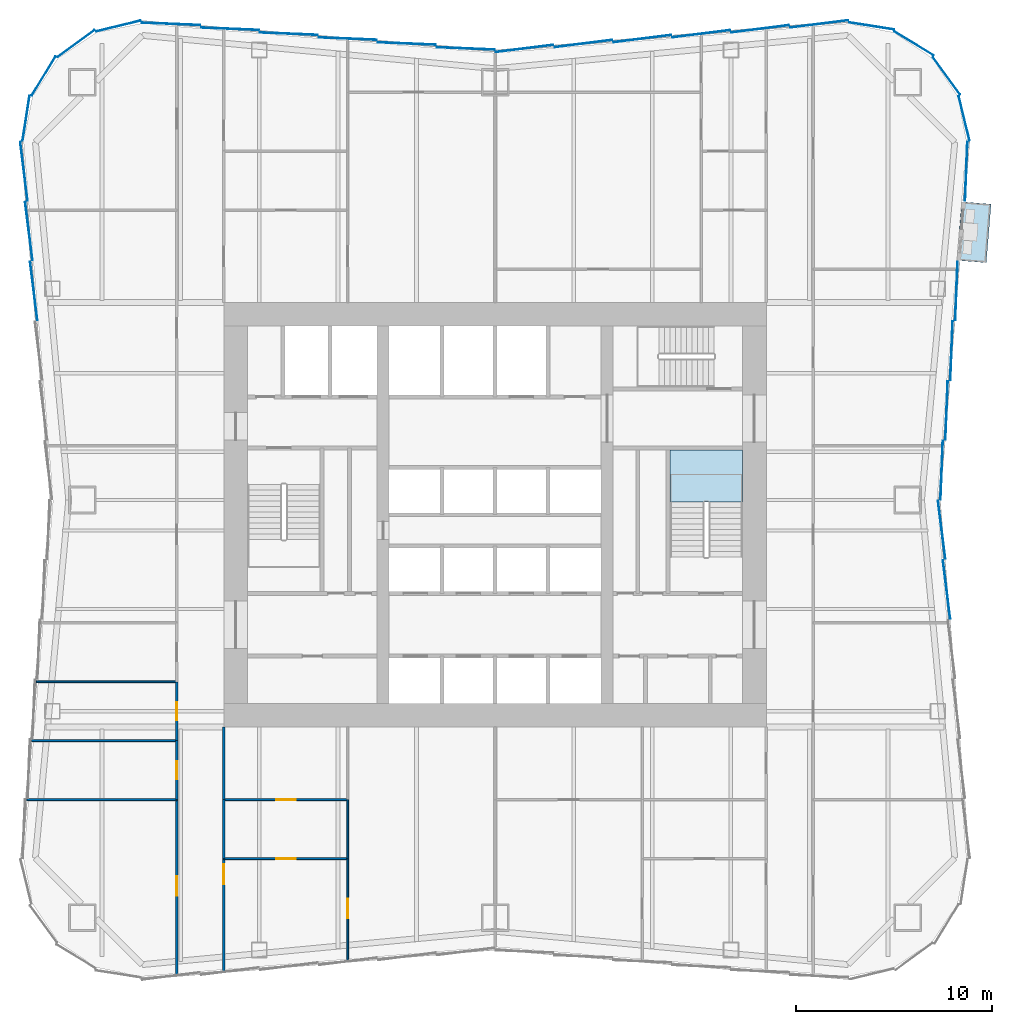
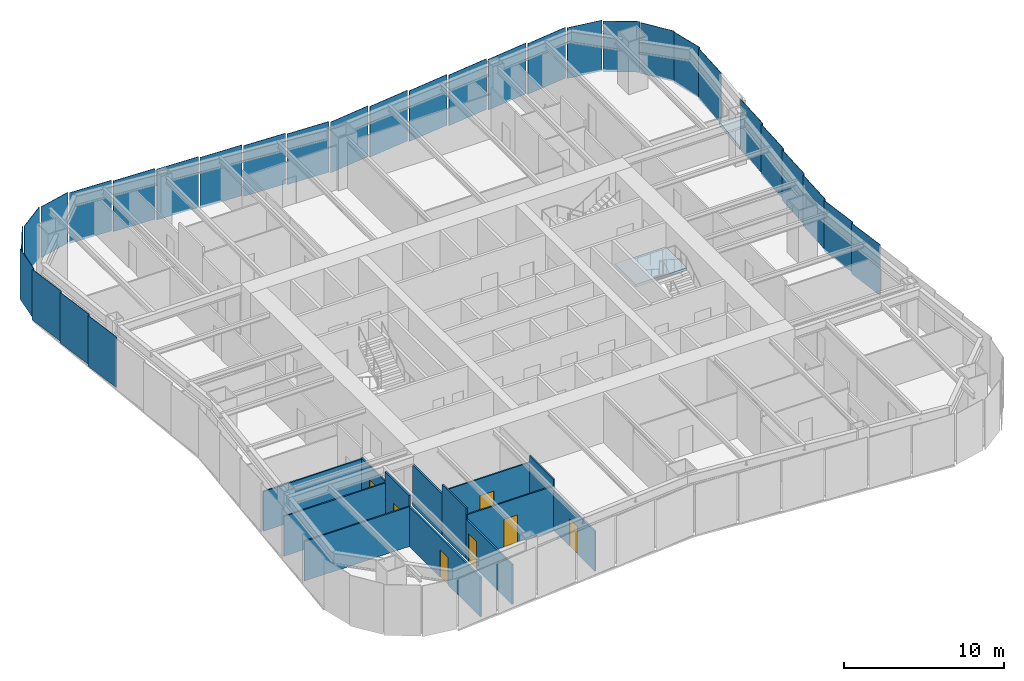
# One storey, part 3 of 9: 30 plates, 13 walls, 7 doors, 2 slabs, 7 openings, 6 elements without a shape of their own.
"""IFC4 building model written with IfcOpenShell, lengths in metres."""

from ifc_helpers import new_model, si_unit, direction, frame, frame_2d, origin, origin_2d, place, context, subcontext, project, spatial, polyline, rectangle, outline, extrude, material, layer, layer_set, type_object, element, fill, aggregate, save


model = new_model("IFC4")

# Units and contexts
model_context = context("Model", 3, precision=1e-05, world=origin(), true_north=direction((0.0, 1.0)))
body_context = subcontext(model_context, "Body", "Model", "MODEL_VIEW")
ifc_project = project(units=[si_unit("LENGTHUNIT", "METRE"), si_unit("AREAUNIT", "SQUARE_METRE"), si_unit("VOLUMEUNIT", "CUBIC_METRE"), si_unit("PLANEANGLEUNIT", "RADIAN"), si_unit("MASSUNIT", "GRAM", prefix="KILO")], contexts=[model_context])

# Site, building, storey
site_placement = place(None, origin())
site = spatial("IfcSite", under=ifc_project, at=site_placement, CompositionType="ELEMENT")
building_placement = place(site_placement, origin())
building = spatial("IfcBuilding", under=site, at=building_placement, Name="Verdant Reach Tower", CompositionType="ELEMENT")
storey_placement = place(building_placement, frame((0.0, 0.0, 98.0)))
storey = spatial("IfcBuildingStorey", under=building, at=storey_placement, Name="L22", CompositionType="ELEMENT", Elevation=98.0)

# Stair, slab
ifc_material_1 = material(Name="Concrete C40/50", Category="concrete")
stair_type = type_object("IfcStairType", Name="CO-STAIR", PredefinedType="HALF_TURN_STAIR", material=ifc_material_1)
stair_placement = place(storey_placement, origin())
stair = element("IfcStair", 1, at=stair_placement, inside=storey, type_object=stair_type, Name="L22 Exit stair 2", PredefinedType="HALF_TURN_STAIR")
ifc_layer_1 = layer(ifc_material_1, 0.199951171875)
ifc_layer_set_1 = layer_set([ifc_layer_1], Name="CO-STAIR-LANDING")
slab_type_1 = type_object("IfcSlabType", Name="CO-STAIR-LANDING", PredefinedType="LANDING", material=ifc_layer_set_1)
slab_1_placement = place(storey_placement, frame((0.0, 0.0, 1.800048828125)))
slab_1 = element("IfcSlab", 2, at=slab_1_placement, type_object=slab_type_1, Name="ST-2 landing 1", PredefinedType="LANDING", context=body_context, shape_type="SweptSolid", body=[
    extrude(outline(polyline([(12.60009765625, 28.64990234375), (12.60009765625, 31.300048828125), (8.89990234375, 31.300048828125), (8.89990234375, 28.64990234375), (12.60009765625, 28.64990234375)])), origin(), (0.0, 0.0, 1.0), 0.199951171875),
])
aggregate(stair, [slab_1])

# Slab
ifc_material_2 = material(Name="Concrete C35/45", Category="concrete")
ifc_layer_2 = layer(ifc_material_2, 0.25)
ifc_layer_set_2 = layer_set([ifc_layer_2], Name="EN-BALCONY SLAB")
slab_type_2 = type_object("IfcSlabType", Name="EN-BALCONY SLAB", PredefinedType="FLOOR", material=ifc_layer_set_2)
slab_2_placement = place(storey_placement, frame((0.0, 0.0, -0.25)))
element("IfcSlab", 3, at=slab_2_placement, inside=storey, type_object=slab_type_2, Name="Balcony slab 1, L22", PredefinedType="FLOOR", context=body_context, shape_type="SweptSolid", body=[
    extrude(outline(polyline([(23.50244140625, 40.947509765625), (23.74755859375, 43.927490234375), (25.242431640625, 43.804443359375), (24.99755859375, 40.82470703125), (23.50244140625, 40.947509765625)])), origin(), (0.0, 0.0, 1.0), 0.25),
])

# Curtain wall, plates
ifc_material_3 = material(Name="Anodised aluminium", Category="aluminium")
curtain_wall_type = type_object("IfcCurtainWallType", Name="EN-CW SYSTEM Z1", PredefinedType="NOTDEFINED", material=ifc_material_3)
curtain_wall_1_placement = place(storey_placement, origin())
curtain_wall_1 = element("IfcCurtainWall", 4, at=curtain_wall_1_placement, inside=storey, type_object=curtain_wall_type, Name="Curtain wall east, L22", PredefinedType="NOTDEFINED")
ifc_material_4 = material(Name="Tinted glass with champagne spandrel", Category="glass")
ifc_layer_3 = layer(ifc_material_4, 0.031982421875)
ifc_layer_set_3 = layer_set([ifc_layer_3], Name="EN-PANEL CHAMPAGNE")
plate_type_1 = type_object("IfcPlateType", Name="EN-PANEL CHAMPAGNE", PredefinedType="CURTAIN_PANEL", material=ifc_layer_set_3)
plate_1_placement = place(storey_placement, frame((22.9775390625, 24.196044921875, -0.22802734375), z_axis=(0.0, 0.0, 1.0), x_axis=(-0.123578623975, 0.992334784081, 0.0)))
plate_1 = element("IfcPlate", 5, at=plate_1_placement, type_object=plate_type_1, Name="Glass panel east face part 1 5.1, L22", PredefinedType="CURTAIN_PANEL", context=body_context, shape_type="SweptSolid", body=[
    extrude(rectangle(XDim=2.993896484375, YDim=0.031982421875, at=origin_2d()), origin(), (0.0, 0.0, 1.0), 3.8779296875),
])
plate_2_placement = place(storey_placement, frame((22.727783203125, 27.2333984375, -0.22802734375), z_axis=(0.0, 0.0, 1.0), x_axis=(-0.123691487663, 0.992320722287, 0.0)))
plate_2 = element("IfcPlate", 6, at=plate_2_placement, type_object=plate_type_1, Name="Glass panel east face part 1 6.1, L22", PredefinedType="CURTAIN_PANEL", context=body_context, shape_type="SweptSolid", body=[
    extrude(rectangle(XDim=2.985595703125, YDim=0.031982421875, at=origin_2d()), origin(), (0.0, 0.0, 1.0), 3.8779296875),
])
plate_3_placement = place(storey_placement, frame((23.977783203125, 45.477783203125, -0.22802734375), z_axis=(0.0, 0.0, 1.0), x_axis=(0.039784239139, 0.999208293759, 0.0)))
plate_3 = element("IfcPlate", 7, at=plate_3_placement, type_object=plate_type_1, Name="Glass panel east face part 2 6.1, L22", PredefinedType="CURTAIN_PANEL", context=body_context, shape_type="SweptSolid", body=[
    extrude(rectangle(XDim=3.00830078125, YDim=0.031982421875, at=origin_2d()), origin(), (0.0, 0.0, 1.0), 3.8779296875),
])

# Curtain wall, plate
curtain_wall_2_placement = place(storey_placement, origin())
curtain_wall_2 = element("IfcCurtainWall", 8, at=curtain_wall_2_placement, inside=storey, type_object=curtain_wall_type, Name="Curtain wall north-east corner, L22", PredefinedType="NOTDEFINED")
plate_4_placement = place(storey_placement, frame((19.170654296875, 52.87060546875, -0.22802734375), z_axis=(0.0, 0.0, 1.0), x_axis=(-0.988032704995, 0.154244526195, 0.0)))
plate_4 = element("IfcPlate", 9, at=plate_4_placement, type_object=plate_type_1, Name="Glass panel north-east corner 4.1, L22", PredefinedType="CURTAIN_PANEL", context=body_context, shape_type="SweptSolid", body=[
    extrude(rectangle(XDim=2.317626953125, YDim=0.031982421875, at=origin_2d()), origin(), (0.0, 0.0, 1.0), 3.8779296875),
])

# Curtain wall, plates
curtain_wall_3_placement = place(storey_placement, origin())
curtain_wall_3 = element("IfcCurtainWall", 10, at=curtain_wall_3_placement, inside=storey, type_object=curtain_wall_type, Name="Curtain wall north, L22", PredefinedType="NOTDEFINED")
plate_5_placement = place(storey_placement, frame((13.491455078125, 52.7275390625, -0.22802734375), z_axis=(0.0, 0.0, 1.0), x_axis=(-0.992194034542, -0.124703639961, 0.0)))
plate_5 = element("IfcPlate", 11, at=plate_5_placement, type_object=plate_type_1, Name="Glass panel north face part 1 2.1, L22", PredefinedType="CURTAIN_PANEL", context=body_context, shape_type="SweptSolid", body=[
    extrude(rectangle(XDim=2.952392578125, YDim=0.031982421875, at=origin_2d()), origin(), (0.0, 0.0, 1.0), 3.8779296875),
])
plate_6_placement = place(storey_placement, frame((10.491455078125, 52.4775390625, -0.22802734375), z_axis=(0.0, 0.0, 1.0), x_axis=(-0.992194034542, -0.124703639961, 0.0)))
plate_6 = element("IfcPlate", 12, at=plate_6_placement, type_object=plate_type_1, Name="Glass panel north face part 1 3.1, L22", PredefinedType="CURTAIN_PANEL", context=body_context, shape_type="SweptSolid", body=[
    extrude(rectangle(XDim=2.952392578125, YDim=0.031982421875, at=origin_2d()), origin(), (0.0, 0.0, 1.0), 3.8779296875),
])
plate_7_placement = place(storey_placement, frame((7.491455078125, 52.2275390625, -0.22802734375), z_axis=(0.0, 0.0, 1.0), x_axis=(-0.992194034542, -0.124703639961, 0.0)))
plate_7 = element("IfcPlate", 13, at=plate_7_placement, type_object=plate_type_1, Name="Glass panel north face part 1 4.1, L22", PredefinedType="CURTAIN_PANEL", context=body_context, shape_type="SweptSolid", body=[
    extrude(rectangle(XDim=2.952392578125, YDim=0.031982421875, at=origin_2d()), origin(), (0.0, 0.0, 1.0), 3.8779296875),
])
plate_8_placement = place(storey_placement, frame((-10.491455078125, 52.4775390625, -0.22802734375), z_axis=(0.0, 0.0, 1.0), x_axis=(-0.999149202059, 0.041241629766, 0.0)))
plate_8 = element("IfcPlate", 14, at=plate_8_placement, type_object=plate_type_1, Name="Glass panel north face part 2 4.1, L22", PredefinedType="CURTAIN_PANEL", context=body_context, shape_type="SweptSolid", body=[
    extrude(rectangle(XDim=2.952392578125, YDim=0.031982421875, at=origin_2d()), origin(), (0.0, 0.0, 1.0), 3.8779296875),
])
plate_9_placement = place(storey_placement, frame((-13.491455078125, 52.7275390625, -0.22802734375), z_axis=(0.0, 0.0, 1.0), x_axis=(-0.999149202059, 0.041241629766, 0.0)))
plate_9 = element("IfcPlate", 15, at=plate_9_placement, type_object=plate_type_1, Name="Glass panel north face part 2 5.1, L22", PredefinedType="CURTAIN_PANEL", context=body_context, shape_type="SweptSolid", body=[
    extrude(rectangle(XDim=2.952392578125, YDim=0.031982421875, at=origin_2d()), origin(), (0.0, 0.0, 1.0), 3.8779296875),
])

curtain_wall_4_placement = place(storey_placement, origin())
curtain_wall_4 = element("IfcCurtainWall", 16, at=curtain_wall_4_placement, inside=storey, type_object=curtain_wall_type, Name="Curtain wall north-west corner, L22", PredefinedType="NOTDEFINED")
plate_10_placement = place(storey_placement, frame((-21.325439453125, 51.97705078125, -0.22802734375), z_axis=(0.0, 0.0, 1.0), x_axis=(-0.807456753161, -0.589926768145, 0.0)))
plate_10 = element("IfcPlate", 17, at=plate_10_placement, type_object=plate_type_1, Name="Glass panel north-west corner 2.1, L22", PredefinedType="CURTAIN_PANEL", context=body_context, shape_type="SweptSolid", body=[
    extrude(rectangle(XDim=2.3232421875, YDim=0.031982421875, at=origin_2d()), origin(), (0.0, 0.0, 1.0), 3.8779296875),
])
plate_11_placement = place(storey_placement, frame((-22.97705078125, 50.325439453125, -0.22802734375), z_axis=(0.0, 0.0, 1.0), x_axis=(-0.520291572248, -0.85398868836, 0.0)))
plate_11 = element("IfcPlate", 18, at=plate_11_placement, type_object=plate_type_1, Name="Glass panel north-west corner 3.1, L22", PredefinedType="CURTAIN_PANEL", context=body_context, shape_type="SweptSolid", body=[
    extrude(rectangle(XDim=2.3232421875, YDim=0.031982421875, at=origin_2d()), origin(), (0.0, 0.0, 1.0), 3.8779296875),
])
plate_12_placement = place(storey_placement, frame((-23.87060546875, 48.170654296875, -0.22802734375), z_axis=(0.0, 0.0, 1.0), x_axis=(-0.154247912016, -0.988032176419, 0.0)))
plate_12 = element("IfcPlate", 19, at=plate_12_placement, type_object=plate_type_1, Name="Glass panel north-west corner 4.1, L22", PredefinedType="CURTAIN_PANEL", context=body_context, shape_type="SweptSolid", body=[
    extrude(rectangle(XDim=2.3173828125, YDim=0.031982421875, at=origin_2d()), origin(), (0.0, 0.0, 1.0), 3.8779296875),
])

curtain_wall_5_placement = place(storey_placement, origin())
curtain_wall_5 = element("IfcCurtainWall", 20, at=curtain_wall_5_placement, inside=storey, type_object=curtain_wall_type, Name="Curtain wall west, L22", PredefinedType="NOTDEFINED")
plate_13_placement = place(storey_placement, frame((-23.977783203125, 45.477783203125, -0.22802734375), z_axis=(0.0, 0.0, 1.0), x_axis=(0.123256305275, -0.992374870304, 0.0)))
plate_13 = element("IfcPlate", 21, at=plate_13_placement, type_object=plate_type_1, Name="Glass panel west face part 1 1.1, L22", PredefinedType="CURTAIN_PANEL", context=body_context, shape_type="SweptSolid", body=[
    extrude(rectangle(XDim=3.00830078125, YDim=0.031982421875, at=origin_2d()), origin(), (0.0, 0.0, 1.0), 3.8779296875),
])
plate_14_placement = place(storey_placement, frame((-23.7275390625, 42.428955078125, -0.22802734375), z_axis=(0.0, 0.0, 1.0), x_axis=(0.123578623975, -0.992334784081, 0.0)))
plate_14 = element("IfcPlate", 22, at=plate_14_placement, type_object=plate_type_1, Name="Glass panel west face part 1 2.1, L22", PredefinedType="CURTAIN_PANEL", context=body_context, shape_type="SweptSolid", body=[
    extrude(rectangle(XDim=2.993896484375, YDim=0.031982421875, at=origin_2d()), origin(), (0.0, 0.0, 1.0), 3.8779296875),
])

# Plate
ifc_material_5 = material(Name="Tinted glass with copper spandrel", Category="glass")
ifc_layer_4 = layer(ifc_material_5, 0.031982421875)
ifc_layer_set_4 = layer_set([ifc_layer_4], Name="EN-PANEL COPPER")
plate_type_2 = type_object("IfcPlateType", Name="EN-PANEL COPPER", PredefinedType="CURTAIN_PANEL", material=ifc_layer_set_4)
plate_15_placement = place(storey_placement, frame((22.727783203125, 30.2666015625, -0.22802734375), z_axis=(0.0, 0.0, 1.0), x_axis=(0.040222426271, 0.99919075077, 0.0)))
plate_15 = element("IfcPlate", 23, at=plate_15_placement, type_object=plate_type_2, Name="Glass panel east face part 2 1.1, L22", PredefinedType="CURTAIN_PANEL", context=body_context, shape_type="SweptSolid", body=[
    extrude(rectangle(XDim=2.985595703125, YDim=0.031982421875, at=origin_2d()), origin(), (0.0, 0.0, 1.0), 3.8779296875),
])

plate_16_placement = place(storey_placement, frame((22.9775390625, 33.303955078125, -0.22802734375), z_axis=(0.0, 0.0, 1.0), x_axis=(0.040108781752, 0.999195319057, 0.0)))
plate_16 = element("IfcPlate", 24, at=plate_16_placement, type_object=plate_type_2, Name="Glass panel east face part 2 2.1, L22", PredefinedType="CURTAIN_PANEL", context=body_context, shape_type="SweptSolid", body=[
    extrude(rectangle(XDim=2.993896484375, YDim=0.031982421875, at=origin_2d()), origin(), (0.0, 0.0, 1.0), 3.8779296875),
])

plate_17_placement = place(storey_placement, frame((23.87060546875, 48.170654296875, -0.22802734375), z_axis=(0.0, 0.0, 1.0), x_axis=(-0.236383344544, 0.971659875894, 0.0)))
plate_17 = element("IfcPlate", 25, at=plate_17_placement, type_object=plate_type_2, Name="Glass panel north-east corner 1.1, L22", PredefinedType="CURTAIN_PANEL", context=body_context, shape_type="SweptSolid", body=[
    extrude(rectangle(XDim=2.3173828125, YDim=0.031982421875, at=origin_2d()), origin(), (0.0, 0.0, 1.0), 3.8779296875),
])

plate_18_placement = place(storey_placement, frame((4.491455078125, 51.9775390625, -0.22802734375), z_axis=(0.0, 0.0, 1.0), x_axis=(-0.992194034542, -0.124703639961, 0.0)))
plate_18 = element("IfcPlate", 26, at=plate_18_placement, type_object=plate_type_2, Name="Glass panel north face part 1 5.1, L22", PredefinedType="CURTAIN_PANEL", context=body_context, shape_type="SweptSolid", body=[
    extrude(rectangle(XDim=2.952392578125, YDim=0.031982421875, at=origin_2d()), origin(), (0.0, 0.0, 1.0), 3.8779296875),
])

plate_19_placement = place(storey_placement, frame((1.49560546875, 51.727783203125, -0.22802734375), z_axis=(0.0, 0.0, 1.0), x_axis=(-0.992179247355, -0.124821236644, 0.0)))
plate_19 = element("IfcPlate", 27, at=plate_19_placement, type_object=plate_type_2, Name="Glass panel north face part 1 6.1, L22", PredefinedType="CURTAIN_PANEL", context=body_context, shape_type="SweptSolid", body=[
    extrude(rectangle(XDim=2.94384765625, YDim=0.031982421875, at=origin_2d()), origin(), (0.0, 0.0, 1.0), 3.8779296875),
])

plate_20_placement = place(storey_placement, frame((-16.49853515625, 52.977783203125, -0.22802734375), z_axis=(0.0, 0.0, 1.0), x_axis=(-0.999162836679, 0.040909971885, 0.0)))
plate_20 = element("IfcPlate", 28, at=plate_20_placement, type_object=plate_type_2, Name="Glass panel north face part 2 6.1, L22", PredefinedType="CURTAIN_PANEL", context=body_context, shape_type="SweptSolid", body=[
    extrude(rectangle(XDim=2.966796875, YDim=0.031982421875, at=origin_2d()), origin(), (0.0, 0.0, 1.0), 3.8779296875),
])

plate_21_placement = place(storey_placement, frame((-23.4775390625, 39.387451171875, -0.22802734375), z_axis=(0.0, 0.0, 1.0), x_axis=(0.123578623975, -0.992334784081, 0.0)))
plate_21 = element("IfcPlate", 29, at=plate_21_placement, type_object=plate_type_2, Name="Glass panel west face part 1 3.1, L22", PredefinedType="CURTAIN_PANEL", context=body_context, shape_type="SweptSolid", body=[
    extrude(rectangle(XDim=2.993896484375, YDim=0.031982421875, at=origin_2d()), origin(), (0.0, 0.0, 1.0), 3.8779296875),
])

aggregate(curtain_wall_5, [plate_13, plate_14, plate_21])

ifc_material_6 = material(Name="Tinted glass with dark bronze spandrel", Category="glass")
ifc_layer_5 = layer(ifc_material_6, 0.031982421875)
ifc_layer_set_5 = layer_set([ifc_layer_5], Name="EN-PANEL DARK")
plate_type_3 = type_object("IfcPlateType", Name="EN-PANEL DARK", PredefinedType="CURTAIN_PANEL", material=ifc_layer_set_5)
plate_22_placement = place(storey_placement, frame((23.2275390625, 36.345703125, -0.22802734375), z_axis=(0.0, 0.0, 1.0), x_axis=(0.040108781752, 0.999195319057, 0.0)))
plate_22 = element("IfcPlate", 30, at=plate_22_placement, type_object=plate_type_3, Name="Glass panel east face part 2 3.1, L22", PredefinedType="CURTAIN_PANEL", context=body_context, shape_type="SweptSolid", body=[
    extrude(rectangle(XDim=2.993896484375, YDim=0.031982421875, at=origin_2d()), origin(), (0.0, 0.0, 1.0), 3.8779296875),
])

plate_23_placement = place(storey_placement, frame((23.4775390625, 39.387451171875, -0.22802734375), z_axis=(0.0, 0.0, 1.0), x_axis=(0.040108781752, 0.999195319057, 0.0)))
plate_23 = element("IfcPlate", 31, at=plate_23_placement, type_object=plate_type_3, Name="Glass panel east face part 2 4.1, L22", PredefinedType="CURTAIN_PANEL", context=body_context, shape_type="SweptSolid", body=[
    extrude(rectangle(XDim=2.993896484375, YDim=0.031982421875, at=origin_2d()), origin(), (0.0, 0.0, 1.0), 3.8779296875),
])

aggregate(curtain_wall_1, [plate_1, plate_2, plate_15, plate_16, plate_22, plate_23, plate_3])

plate_24_placement = place(storey_placement, frame((22.97705078125, 50.325439453125, -0.22802734375), z_axis=(0.0, 0.0, 1.0), x_axis=(-0.589926768145, 0.807456753161, 0.0)))
plate_24 = element("IfcPlate", 32, at=plate_24_placement, type_object=plate_type_3, Name="Glass panel north-east corner 2.1, L22", PredefinedType="CURTAIN_PANEL", context=body_context, shape_type="SweptSolid", body=[
    extrude(rectangle(XDim=2.3232421875, YDim=0.031982421875, at=origin_2d()), origin(), (0.0, 0.0, 1.0), 3.8779296875),
])

plate_25_placement = place(storey_placement, frame((21.325439453125, 51.97705078125, -0.22802734375), z_axis=(0.0, 0.0, 1.0), x_axis=(-0.85398868836, 0.520291572248, 0.0)))
plate_25 = element("IfcPlate", 33, at=plate_25_placement, type_object=plate_type_3, Name="Glass panel north-east corner 3.1, L22", PredefinedType="CURTAIN_PANEL", context=body_context, shape_type="SweptSolid", body=[
    extrude(rectangle(XDim=2.3232421875, YDim=0.031982421875, at=origin_2d()), origin(), (0.0, 0.0, 1.0), 3.8779296875),
])

aggregate(curtain_wall_2, [plate_17, plate_24, plate_25, plate_4])

plate_26_placement = place(storey_placement, frame((16.49853515625, 52.977783203125, -0.22802734375), z_axis=(0.0, 0.0, 1.0), x_axis=(-0.99223537376, -0.124374286167, 0.0)))
plate_26 = element("IfcPlate", 34, at=plate_26_placement, type_object=plate_type_3, Name="Glass panel north face part 1 1.1, L22", PredefinedType="CURTAIN_PANEL", context=body_context, shape_type="SweptSolid", body=[
    extrude(rectangle(XDim=2.966796875, YDim=0.031982421875, at=origin_2d()), origin(), (0.0, 0.0, 1.0), 3.8779296875),
])

plate_27_placement = place(storey_placement, frame((-1.49560546875, 51.727783203125, -0.22802734375), z_axis=(0.0, 0.0, 1.0), x_axis=(-0.99914430697, 0.041360051381, 0.0)))
plate_27 = element("IfcPlate", 35, at=plate_27_placement, type_object=plate_type_3, Name="Glass panel north face part 2 1.1, L22", PredefinedType="CURTAIN_PANEL", context=body_context, shape_type="SweptSolid", body=[
    extrude(rectangle(XDim=2.94384765625, YDim=0.031982421875, at=origin_2d()), origin(), (0.0, 0.0, 1.0), 3.8779296875),
])

plate_28_placement = place(storey_placement, frame((-4.491455078125, 51.9775390625, -0.22802734375), z_axis=(0.0, 0.0, 1.0), x_axis=(-0.999149202059, 0.041241629766, 0.0)))
plate_28 = element("IfcPlate", 36, at=plate_28_placement, type_object=plate_type_3, Name="Glass panel north face part 2 2.1, L22", PredefinedType="CURTAIN_PANEL", context=body_context, shape_type="SweptSolid", body=[
    extrude(rectangle(XDim=2.952392578125, YDim=0.031982421875, at=origin_2d()), origin(), (0.0, 0.0, 1.0), 3.8779296875),
])

plate_29_placement = place(storey_placement, frame((-7.491455078125, 52.2275390625, -0.22802734375), z_axis=(0.0, 0.0, 1.0), x_axis=(-0.999149202059, 0.041241629766, 0.0)))
plate_29 = element("IfcPlate", 37, at=plate_29_placement, type_object=plate_type_3, Name="Glass panel north face part 2 3.1, L22", PredefinedType="CURTAIN_PANEL", context=body_context, shape_type="SweptSolid", body=[
    extrude(rectangle(XDim=2.952392578125, YDim=0.031982421875, at=origin_2d()), origin(), (0.0, 0.0, 1.0), 3.8779296875),
])

aggregate(curtain_wall_3, [plate_26, plate_5, plate_6, plate_7, plate_18, plate_19, plate_27, plate_28, plate_29, plate_8, plate_9, plate_20])

plate_30_placement = place(storey_placement, frame((-19.170654296875, 52.87060546875, -0.22802734375), z_axis=(0.0, 0.0, 1.0), x_axis=(-0.971660685934, -0.236380014828, 0.0)))
plate_30 = element("IfcPlate", 38, at=plate_30_placement, type_object=plate_type_3, Name="Glass panel north-west corner 1.1, L22", PredefinedType="CURTAIN_PANEL", context=body_context, shape_type="SweptSolid", body=[
    extrude(rectangle(XDim=2.317626953125, YDim=0.031982421875, at=origin_2d()), origin(), (0.0, 0.0, 1.0), 3.8779296875),
])

aggregate(curtain_wall_4, [plate_30, plate_10, plate_11, plate_12])

# Walls
ifc_material_7 = material(Name="Gypsum board on steel studs", Category="steel")
ifc_layer_6 = layer(ifc_material_7, 0.10009765625)
ifc_layer_set_6 = layer_set([ifc_layer_6], Name="FL-W1 Partition 100")
wall_type_1 = type_object("IfcWallType", Name="FL-W1 Partition 100", PredefinedType="PARTITIONING", material=ifc_layer_set_6)
wall_1_placement = place(storey_placement, frame((-16.199951171875, 13.5, 0.0), z_axis=(0.0, 0.0, 1.0), x_axis=(-1.0, 0.0, 0.0)))
element("IfcWall", 39, at=wall_1_placement, inside=storey, type_object=wall_type_1, Name="Partition 22.25", PredefinedType="PARTITIONING", context=body_context, shape_type="SweptSolid", body=[
    extrude(rectangle(XDim=7.633544921875, YDim=0.10009765625, at=frame_2d((3.81689453125, 0.0))), origin(), (0.0, 0.0, 1.0), 3.0400390625),
])
wall_2_placement = place(storey_placement, frame((-16.199951171875, 16.5, 0.0), z_axis=(0.0, 0.0, 1.0), x_axis=(-1.0, 0.0, 0.0)))
element("IfcWall", 40, at=wall_2_placement, inside=storey, type_object=wall_type_1, Name="Partition 22.26", PredefinedType="PARTITIONING", context=body_context, shape_type="SweptSolid", body=[
    extrude(rectangle(XDim=7.386962890625, YDim=0.10009765625, at=frame_2d((3.693359375, 0.0))), origin(), (0.0, 0.0, 1.0), 3.0400390625),
])
wall_3_placement = place(storey_placement, frame((-16.199951171875, 19.5, 0.0), z_axis=(0.0, 0.0, 1.0), x_axis=(-1.0, 0.0, 0.0)))
element("IfcWall", 41, at=wall_3_placement, inside=storey, type_object=wall_type_1, Name="Partition 22.27", PredefinedType="PARTITIONING", context=body_context, shape_type="SweptSolid", body=[
    extrude(rectangle(XDim=7.140380859375, YDim=0.10009765625, at=frame_2d((3.5703125, 0.0))), origin(), (0.0, 0.0, 1.0), 3.0400390625),
])

# Wall, opening, door
wall_4_placement = place(storey_placement, frame((-13.800048828125, 10.5, 0.0), z_axis=(0.0, 0.0, 1.0), x_axis=(1.0, 0.0, 0.0)))
wall_4 = element("IfcWall", 42, at=wall_4_placement, inside=storey, type_object=wall_type_1, Name="Partition 22.35", PredefinedType="PARTITIONING", context=body_context, shape_type="SweptSolid", body=[
    extrude(rectangle(XDim=6.300048828125, YDim=0.10009765625, at=frame_2d((3.14990234375, 0.0))), origin(), (0.0, 0.0, 1.0), 3.389892578125),
])
opening_1_placement = place(wall_4_placement, frame((2.64990234375, 0.0, 0.0)))
opening_1 = element("IfcOpeningElement", 43, at=opening_1_placement, cuts=wall_4, Name="Opening D3", PredefinedType="OPENING", context=body_context, shape_type="SweptSolid", body=[
    extrude(rectangle(XDim=1.0, YDim=2.10009765625, at=frame_2d((0.5, 1.050048828125))), frame((0.0, 0.06005859375, 0.0), z_axis=(0.0, -1.0, 0.0), x_axis=(1.0, 0.0, 0.0)), (0.0, 0.0, 1.0), 0.1201171875),
])
ifc_material_8 = material(Name="Painted timber door leaf", Category="wood")
door_type_1 = type_object("IfcDoorType", Name="FL-D3 Door 1000x2100", OperationType="NOTDEFINED", PredefinedType="DOOR", material=ifc_material_8)
door_1_placement = place(opening_1_placement, origin())
door_1 = element("IfcDoor", 44, at=door_1_placement, inside=storey, type_object=door_type_1, Name="Door 22-019", OperationType="SINGLE_SWING_LEFT", OverallHeight=2.10009765625, OverallWidth=1.0, PredefinedType="DOOR", context=body_context, shape_type="SweptSolid", body=[
    extrude(rectangle(XDim=1.0, YDim=2.10009765625, at=frame_2d((0.5, 1.050048828125))), frame((0.0, 0.02490234375, 0.0), z_axis=(0.0, -1.0, 0.0), x_axis=(1.0, 0.0, 0.0)), (0.0, 0.0, 1.0), 0.050048828125),
])
fill(opening_1, door_1)

wall_5_placement = place(storey_placement, frame((-7.5, 10.50390625, 0.0), z_axis=(0.0, 0.0, 1.0), x_axis=(0.0, -1.0, 0.0)))
wall_5 = element("IfcWall", 45, at=wall_5_placement, inside=storey, type_object=wall_type_1, Name="Partition 22.36", PredefinedType="PARTITIONING", context=body_context, shape_type="SweptSolid", body=[
    extrude(rectangle(XDim=5.208984375, YDim=0.10009765625, at=frame_2d((2.6044921875, 0.0))), origin(), (0.0, 0.0, 1.0), 3.0400390625),
])
opening_2_placement = place(wall_5_placement, frame((2.039306640625, 0.0, 0.0)))
opening_2 = element("IfcOpeningElement", 46, at=opening_2_placement, cuts=wall_5, Name="Opening D3", PredefinedType="OPENING", context=body_context, shape_type="SweptSolid", body=[
    extrude(rectangle(XDim=1.0, YDim=2.10009765625, at=frame_2d((0.5, 1.050048828125))), frame((0.0, 0.06005859375, 0.0), z_axis=(0.0, -1.0, 0.0), x_axis=(1.0, 0.0, 0.0)), (0.0, 0.0, 1.0), 0.1201171875),
])
door_2_placement = place(opening_2_placement, origin())
door_2 = element("IfcDoor", 47, at=door_2_placement, inside=storey, type_object=door_type_1, Name="Door 22-020", OperationType="SINGLE_SWING_LEFT", OverallHeight=2.10009765625, OverallWidth=1.0, PredefinedType="DOOR", context=body_context, shape_type="SweptSolid", body=[
    extrude(rectangle(XDim=1.0, YDim=2.10009765625, at=frame_2d((0.5, 1.050048828125))), frame((0.0, 0.02490234375, 0.0), z_axis=(0.0, -1.0, 0.0), x_axis=(1.0, 0.0, 0.0)), (0.0, 0.0, 1.0), 0.050048828125),
])
fill(opening_2, door_2)

wall_6_placement = place(storey_placement, frame((-13.800048828125, 13.5, 0.0), z_axis=(0.0, 0.0, 1.0), x_axis=(1.0, 0.0, 0.0)))
wall_6 = element("IfcWall", 48, at=wall_6_placement, inside=storey, type_object=wall_type_1, Name="Partition 22.37", PredefinedType="PARTITIONING", context=body_context, shape_type="SweptSolid", body=[
    extrude(rectangle(XDim=6.300048828125, YDim=0.10009765625, at=frame_2d((3.14990234375, 0.0))), origin(), (0.0, 0.0, 1.0), 3.389892578125),
])
opening_3_placement = place(wall_6_placement, frame((2.64990234375, 0.0, 0.0)))
opening_3 = element("IfcOpeningElement", 49, at=opening_3_placement, cuts=wall_6, Name="Opening D3", PredefinedType="OPENING", context=body_context, shape_type="SweptSolid", body=[
    extrude(rectangle(XDim=1.0, YDim=2.10009765625, at=frame_2d((0.5, 1.050048828125))), frame((0.0, 0.06005859375, 0.0), z_axis=(0.0, -1.0, 0.0), x_axis=(1.0, 0.0, 0.0)), (0.0, 0.0, 1.0), 0.1201171875),
])
door_3_placement = place(opening_3_placement, origin())
door_3 = element("IfcDoor", 50, at=door_3_placement, inside=storey, type_object=door_type_1, Name="Door 22-021", OperationType="SINGLE_SWING_LEFT", OverallHeight=2.10009765625, OverallWidth=1.0, PredefinedType="DOOR", context=body_context, shape_type="SweptSolid", body=[
    extrude(rectangle(XDim=1.0, YDim=2.10009765625, at=frame_2d((0.5, 1.050048828125))), frame((0.0, 0.02490234375, 0.0), z_axis=(0.0, -1.0, 0.0), x_axis=(1.0, 0.0, 0.0)), (0.0, 0.0, 1.0), 0.050048828125),
])
fill(opening_3, door_3)

# Wall
wall_7_placement = place(storey_placement, frame((-7.5, 10.49609375, 0.0), z_axis=(0.0, 0.0, 1.0), x_axis=(0.0, 1.0, 0.0)))
element("IfcWall", 51, at=wall_7_placement, inside=storey, type_object=wall_type_1, Name="Partition 22.38", PredefinedType="PARTITIONING", context=body_context, shape_type="SweptSolid", body=[
    extrude(rectangle(XDim=3.0078125, YDim=0.10009765625, at=frame_2d((1.50390625, 0.0))), origin(), (0.0, 0.0, 1.0), 3.8701171875),
])

# Wall, opening, door
ifc_material_9 = material(Name="Gypsum board on steel studs, fire rated", Category="steel")
ifc_layer_7 = layer(ifc_material_9, 0.125)
ifc_layer_set_7 = layer_set([ifc_layer_7], Name="FL-W2 Corridor wall 125")
wall_type_2 = type_object("IfcWallType", Name="FL-W2 Corridor wall 125", PredefinedType="PARTITIONING", material=ifc_layer_set_7)
wall_8_placement = place(storey_placement, frame((-16.199951171875, 13.5, 0.0), z_axis=(0.0, 0.0, 1.0), x_axis=(0.0, -1.0, 0.0)))
wall_8 = element("IfcWall", 52, at=wall_8_placement, inside=storey, type_object=wall_type_2, Name="Partition 22.01", PredefinedType="PARTITIONING", context=body_context, shape_type="SweptSolid", body=[
    extrude(rectangle(XDim=8.929931640625, YDim=0.125, at=frame_2d((4.46484375, 0.0))), origin(), (0.0, 0.0, 1.0), 3.0400390625),
])
opening_4_placement = place(wall_8_placement, frame((3.89990234375, 0.0, 0.0)))
opening_4 = element("IfcOpeningElement", 53, at=opening_4_placement, cuts=wall_8, Name="Opening D2", PredefinedType="OPENING", context=body_context, shape_type="SweptSolid", body=[
    extrude(rectangle(XDim=1.0, YDim=2.10009765625, at=frame_2d((0.5, 1.050048828125))), frame((0.0, 0.072509765625, 0.0), z_axis=(0.0, -1.0, 0.0), x_axis=(1.0, 0.0, 0.0)), (0.0, 0.0, 1.0), 0.14501953125),
])
ifc_material_10 = material(Name="Timber door leaf, fire rated", Category="wood")
door_type_2 = type_object("IfcDoorType", Name="FL-D2 Entrance door 1000x2100 FD30", OperationType="NOTDEFINED", PredefinedType="DOOR", material=ifc_material_10)
door_4_placement = place(opening_4_placement, origin())
door_4 = element("IfcDoor", 54, at=door_4_placement, inside=storey, type_object=door_type_2, Name="Door 22-001", OperationType="SINGLE_SWING_LEFT", OverallHeight=2.10009765625, OverallWidth=1.0, PredefinedType="DOOR", context=body_context, shape_type="SweptSolid", body=[
    extrude(rectangle(XDim=1.0, YDim=2.10009765625, at=frame_2d((0.5, 1.050048828125))), frame((0.0, 0.02490234375, 0.0), z_axis=(0.0, -1.0, 0.0), x_axis=(1.0, 0.0, 0.0)), (0.0, 0.0, 1.0), 0.050048828125),
])
fill(opening_4, door_4)

wall_9_placement = place(storey_placement, frame((-16.199951171875, 13.5, 0.0), z_axis=(0.0, 0.0, 1.0), x_axis=(0.0, 1.0, 0.0)))
wall_9 = element("IfcWall", 55, at=wall_9_placement, inside=storey, type_object=wall_type_2, Name="Partition 22.02", PredefinedType="PARTITIONING", context=body_context, shape_type="SweptSolid", body=[
    extrude(rectangle(XDim=3.0, YDim=0.125, at=frame_2d((1.5, 0.0))), origin(), (0.0, 0.0, 1.0), 3.8701171875),
])
opening_5_placement = place(wall_9_placement, frame((1.050048828125, 0.0, 0.0)))
opening_5 = element("IfcOpeningElement", 56, at=opening_5_placement, cuts=wall_9, Name="Opening D1", PredefinedType="OPENING", context=body_context, shape_type="SweptSolid", body=[
    extrude(rectangle(XDim=0.89990234375, YDim=2.10009765625, at=frame_2d((0.449951171875, 1.050048828125))), frame((0.0, 0.072509765625, 0.0), z_axis=(0.0, -1.0, 0.0), x_axis=(1.0, 0.0, 0.0)), (0.0, 0.0, 1.0), 0.14501953125),
])
door_type_3 = type_object("IfcDoorType", Name="FL-D1 Door 900x2100", OperationType="NOTDEFINED", PredefinedType="DOOR", material=ifc_material_8)
door_5_placement = place(opening_5_placement, origin())
door_5 = element("IfcDoor", 57, at=door_5_placement, inside=storey, type_object=door_type_3, Name="Door 22-002", OperationType="SINGLE_SWING_RIGHT", OverallHeight=2.10009765625, OverallWidth=0.89990234375, PredefinedType="DOOR", context=body_context, shape_type="SweptSolid", body=[
    extrude(rectangle(XDim=0.89990234375, YDim=2.10009765625, at=frame_2d((0.449951171875, 1.050048828125))), frame((0.0, 0.02490234375, 0.0), z_axis=(0.0, -1.0, 0.0), x_axis=(1.0, 0.0, 0.0)), (0.0, 0.0, 1.0), 0.050048828125),
])
fill(opening_5, door_5)

wall_10_placement = place(storey_placement, frame((-16.199951171875, 16.5, 0.0), z_axis=(0.0, 0.0, 1.0), x_axis=(0.0, 1.0, 0.0)))
wall_10 = element("IfcWall", 58, at=wall_10_placement, inside=storey, type_object=wall_type_2, Name="Partition 22.03", PredefinedType="PARTITIONING", context=body_context, shape_type="SweptSolid", body=[
    extrude(rectangle(XDim=3.0, YDim=0.125, at=frame_2d((1.5, 0.0))), origin(), (0.0, 0.0, 1.0), 3.139892578125),
])
opening_6_placement = place(wall_10_placement, frame((1.050048828125, 0.0, 0.0)))
opening_6 = element("IfcOpeningElement", 59, at=opening_6_placement, cuts=wall_10, Name="Opening D1", PredefinedType="OPENING", context=body_context, shape_type="SweptSolid", body=[
    extrude(rectangle(XDim=0.89990234375, YDim=2.10009765625, at=frame_2d((0.449951171875, 1.050048828125))), frame((0.0, 0.072509765625, 0.0), z_axis=(0.0, -1.0, 0.0), x_axis=(1.0, 0.0, 0.0)), (0.0, 0.0, 1.0), 0.14501953125),
])
door_6_placement = place(opening_6_placement, origin())
door_6 = element("IfcDoor", 60, at=door_6_placement, inside=storey, type_object=door_type_3, Name="Door 22-003", OperationType="SINGLE_SWING_LEFT", OverallHeight=2.10009765625, OverallWidth=0.89990234375, PredefinedType="DOOR", context=body_context, shape_type="SweptSolid", body=[
    extrude(rectangle(XDim=0.89990234375, YDim=2.10009765625, at=frame_2d((0.449951171875, 1.050048828125))), frame((0.0, 0.02490234375, 0.0), z_axis=(0.0, -1.0, 0.0), x_axis=(1.0, 0.0, 0.0)), (0.0, 0.0, 1.0), 0.050048828125),
])
fill(opening_6, door_6)

wall_11_placement = place(storey_placement, frame((-13.800048828125, 10.5, 0.0), z_axis=(0.0, 0.0, 1.0), x_axis=(0.0, -1.0, 0.0)))
wall_11 = element("IfcWall", 61, at=wall_11_placement, inside=storey, type_object=wall_type_2, Name="Partition 22.08", PredefinedType="PARTITIONING", context=body_context, shape_type="SweptSolid", body=[
    extrude(rectangle(XDim=5.72998046875, YDim=0.125, at=frame_2d((2.864990234375, 0.0))), origin(), (0.0, 0.0, 1.0), 3.0400390625),
])
opening_7_placement = place(wall_11_placement, frame((0.2998046875, 0.0, 0.0)))
opening_7 = element("IfcOpeningElement", 62, at=opening_7_placement, cuts=wall_11, Name="Opening D2", PredefinedType="OPENING", context=body_context, shape_type="SweptSolid", body=[
    extrude(rectangle(XDim=1.0, YDim=2.10009765625, at=frame_2d((0.5, 1.050048828125))), frame((0.0, 0.072509765625, 0.0), z_axis=(0.0, -1.0, 0.0), x_axis=(1.0, 0.0, 0.0)), (0.0, 0.0, 1.0), 0.14501953125),
])
door_7_placement = place(opening_7_placement, origin())
door_7 = element("IfcDoor", 63, at=door_7_placement, inside=storey, type_object=door_type_2, Name="Door 22-008", OperationType="SINGLE_SWING_LEFT", OverallHeight=2.10009765625, OverallWidth=1.0, PredefinedType="DOOR", context=body_context, shape_type="SweptSolid", body=[
    extrude(rectangle(XDim=1.0, YDim=2.10009765625, at=frame_2d((0.5, 1.050048828125))), frame((0.0, 0.02490234375, 0.0), z_axis=(0.0, -1.0, 0.0), x_axis=(1.0, 0.0, 0.0)), (0.0, 0.0, 1.0), 0.050048828125),
])
fill(opening_7, door_7)

# Walls
wall_12_placement = place(storey_placement, frame((-13.800048828125, 10.5, 0.0), z_axis=(0.0, 0.0, 1.0), x_axis=(0.0, 1.0, 0.0)))
element("IfcWall", 64, at=wall_12_placement, inside=storey, type_object=wall_type_2, Name="Partition 22.09", PredefinedType="PARTITIONING", context=body_context, shape_type="SweptSolid", body=[
    extrude(rectangle(XDim=3.0, YDim=0.125, at=frame_2d((1.5, 0.0))), origin(), (0.0, 0.0, 1.0), 3.8701171875),
])
wall_13_placement = place(storey_placement, frame((-13.800048828125, 13.5, 0.0), z_axis=(0.0, 0.0, 1.0), x_axis=(0.0, 1.0, 0.0)))
element("IfcWall", 65, at=wall_13_placement, inside=storey, type_object=wall_type_2, Name="Partition 22.10", PredefinedType="PARTITIONING", context=body_context, shape_type="SweptSolid", body=[
    extrude(rectangle(XDim=3.699951171875, YDim=0.125, at=frame_2d((1.85009765625, 0.0))), origin(), (0.0, 0.0, 1.0), 3.139892578125),
])

save(model, "model.ifc")
